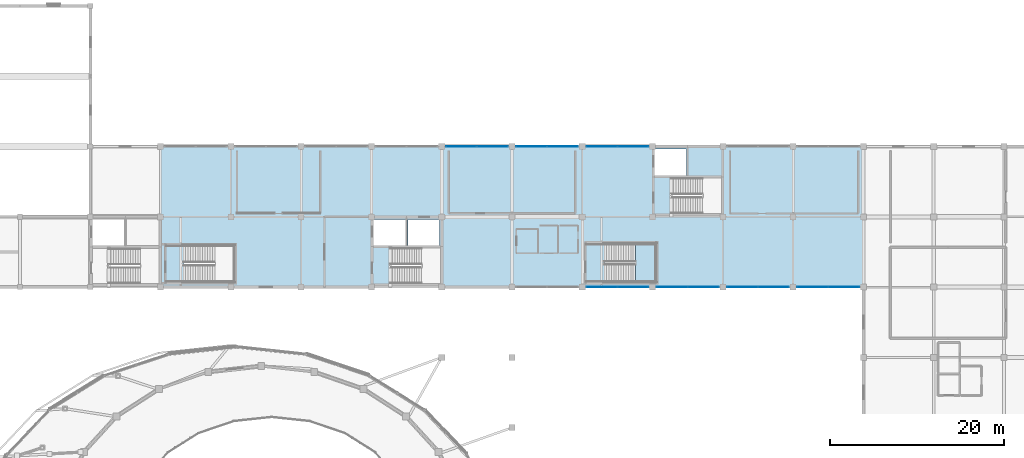
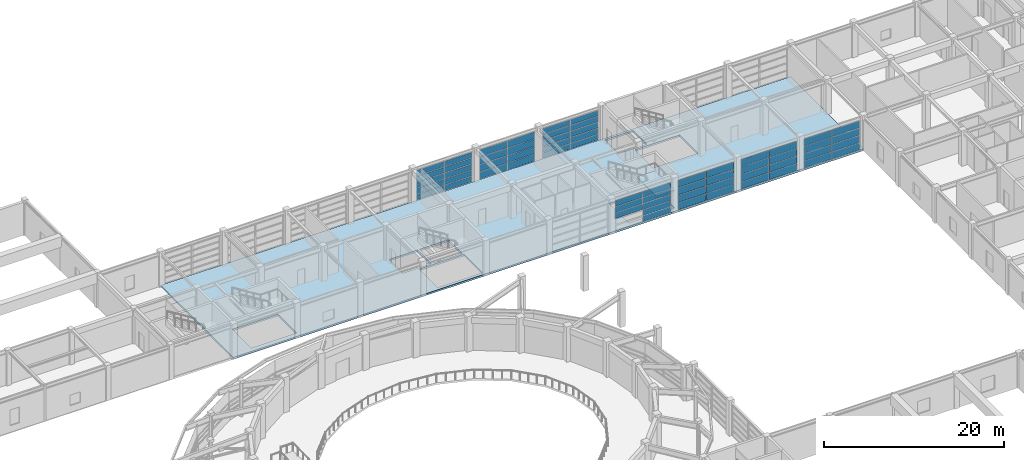
# One storey, part 39 of 58: 60 plates, 2 slabs, 8 elements without a shape of their own.
"""IFC4 building model written with IfcOpenShell, lengths in metres."""

from ifc_helpers import new_model, si_unit, direction, frame, origin, origin_2d, place, context, subcontext, project, spatial, polyline, rectangle, outline, extrude, material, layer, layer_set, type_object, element, aggregate, save


model = new_model("IFC4")

# Units and contexts
model_context = context("Model", 3, precision=1e-05, world=origin(), true_north=direction((0.0, 1.0)))
body_context = subcontext(model_context, "Body", "Model", "MODEL_VIEW")
ifc_project = project(units=[si_unit("LENGTHUNIT", "METRE"), si_unit("AREAUNIT", "SQUARE_METRE"), si_unit("VOLUMEUNIT", "CUBIC_METRE"), si_unit("PLANEANGLEUNIT", "RADIAN"), si_unit("MASSUNIT", "GRAM", prefix="KILO")], contexts=[model_context])

# Site, building, storey
site_placement = place(None, origin())
site = spatial("IfcSite", under=ifc_project, at=site_placement, CompositionType="ELEMENT")
building_placement = place(site_placement, origin())
building = spatial("IfcBuilding", under=site, at=building_placement, Name="Parian Resonance Hall", CompositionType="ELEMENT")
storey_placement = place(building_placement, frame((0.0, 0.0, 10.199951171875)))
storey = spatial("IfcBuildingStorey", under=building, at=storey_placement, Name="L02", CompositionType="ELEMENT", Elevation=10.199951171875)

# Curtain wall, plates
ifc_material_1 = material(Name="Bronze-anodised aluminium frame", Category="aluminium")
curtain_wall_type_1 = type_object("IfcCurtainWallType", Name="CW-SYS-06", PredefinedType="NOTDEFINED", material=ifc_material_1)
curtain_wall_1_placement = place(storey_placement, origin())
curtain_wall_1 = element("IfcCurtainWall", 1, at=curtain_wall_1_placement, inside=storey, type_object=curtain_wall_type_1, Name="Curtain wall CW-L02-099", PredefinedType="NOTDEFINED")
ifc_material_2 = material(Name="Acoustic laminated double glazing", Category="glass")
ifc_layer_1 = layer(ifc_material_2, 0.02197265625)
ifc_layer_set_1 = layer_set([ifc_layer_1], Name="Acoustic laminated double glazing")
plate_type_1 = type_object("IfcPlateType", Name="CWP-IGU22", PredefinedType="CURTAIN_PANEL", material=ifc_layer_set_1)
plate_1_placement = place(storey_placement, frame((83.25634765625, 89.10009765625, 0.05712890625), z_axis=(0.0, 0.0, 1.0), x_axis=(1.0, 0.0, 0.0)))
plate_1 = element("IfcPlate", 2, at=plate_1_placement, type_object=plate_type_1, Name="CW-06 panel 1.1", PredefinedType="CURTAIN_PANEL", context=body_context, shape_type="SweptSolid", body=[
    extrude(rectangle(XDim=3.5224609375, YDim=0.02197265625, at=origin_2d()), origin(), (0.0, 0.0, 1.0), 0.73779296875),
])
plate_2_placement = place(storey_placement, frame((83.25634765625, 89.10009765625, 0.85986328125), z_axis=(0.0, 0.0, 1.0), x_axis=(1.0, 0.0, 0.0)))
plate_2 = element("IfcPlate", 3, at=plate_2_placement, type_object=plate_type_1, Name="CW-06 panel 1.2", PredefinedType="CURTAIN_PANEL", context=body_context, shape_type="SweptSolid", body=[
    extrude(rectangle(XDim=3.5224609375, YDim=0.02197265625, at=origin_2d()), origin(), (0.0, 0.0, 1.0), 0.762451171875),
])
plate_3_placement = place(storey_placement, frame((83.25634765625, 89.10009765625, 1.6875), z_axis=(0.0, 0.0, 1.0), x_axis=(1.0, 0.0, 0.0)))
plate_3 = element("IfcPlate", 4, at=plate_3_placement, type_object=plate_type_1, Name="CW-06 panel 1.3", PredefinedType="CURTAIN_PANEL", context=body_context, shape_type="SweptSolid", body=[
    extrude(rectangle(XDim=3.5224609375, YDim=0.02197265625, at=origin_2d()), origin(), (0.0, 0.0, 1.0), 0.762451171875),
])
plate_4_placement = place(storey_placement, frame((83.25634765625, 89.10009765625, 2.5146484375), z_axis=(0.0, 0.0, 1.0), x_axis=(1.0, 0.0, 0.0)))
plate_4 = element("IfcPlate", 5, at=plate_4_placement, type_object=plate_type_1, Name="CW-06 panel 1.4", PredefinedType="CURTAIN_PANEL", context=body_context, shape_type="SweptSolid", body=[
    extrude(rectangle(XDim=3.5224609375, YDim=0.02197265625, at=origin_2d()), origin(), (0.0, 0.0, 1.0), 0.762451171875),
])
plate_5_placement = place(storey_placement, frame((83.25634765625, 89.10009765625, 3.34228515625), z_axis=(0.0, 0.0, 1.0), x_axis=(1.0, 0.0, 0.0)))
plate_5 = element("IfcPlate", 6, at=plate_5_placement, type_object=plate_type_1, Name="CW-06 panel 1.5", PredefinedType="CURTAIN_PANEL", context=body_context, shape_type="SweptSolid", body=[
    extrude(rectangle(XDim=3.5224609375, YDim=0.02197265625, at=origin_2d()), origin(), (0.0, 0.0, 1.0), 0.739990234375),
])
plate_6_placement = place(storey_placement, frame((86.84375, 89.10009765625, 0.05712890625), z_axis=(0.0, 0.0, 1.0), x_axis=(1.0, 0.0, 0.0)))
plate_6 = element("IfcPlate", 7, at=plate_6_placement, type_object=plate_type_1, Name="CW-06 panel 2.1", PredefinedType="CURTAIN_PANEL", context=body_context, shape_type="SweptSolid", body=[
    extrude(rectangle(XDim=3.5224609375, YDim=0.02197265625, at=origin_2d()), origin(), (0.0, 0.0, 1.0), 0.73779296875),
])
plate_7_placement = place(storey_placement, frame((86.84375, 89.10009765625, 0.85986328125), z_axis=(0.0, 0.0, 1.0), x_axis=(1.0, 0.0, 0.0)))
plate_7 = element("IfcPlate", 8, at=plate_7_placement, type_object=plate_type_1, Name="CW-06 panel 2.2", PredefinedType="CURTAIN_PANEL", context=body_context, shape_type="SweptSolid", body=[
    extrude(rectangle(XDim=3.5224609375, YDim=0.02197265625, at=origin_2d()), origin(), (0.0, 0.0, 1.0), 0.762451171875),
])
plate_8_placement = place(storey_placement, frame((86.84375, 89.10009765625, 1.6875), z_axis=(0.0, 0.0, 1.0), x_axis=(1.0, 0.0, 0.0)))
plate_8 = element("IfcPlate", 9, at=plate_8_placement, type_object=plate_type_1, Name="CW-06 panel 2.3", PredefinedType="CURTAIN_PANEL", context=body_context, shape_type="SweptSolid", body=[
    extrude(rectangle(XDim=3.5224609375, YDim=0.02197265625, at=origin_2d()), origin(), (0.0, 0.0, 1.0), 0.762451171875),
])
plate_9_placement = place(storey_placement, frame((86.84375, 89.10009765625, 2.5146484375), z_axis=(0.0, 0.0, 1.0), x_axis=(1.0, 0.0, 0.0)))
plate_9 = element("IfcPlate", 10, at=plate_9_placement, type_object=plate_type_1, Name="CW-06 panel 2.4", PredefinedType="CURTAIN_PANEL", context=body_context, shape_type="SweptSolid", body=[
    extrude(rectangle(XDim=3.5224609375, YDim=0.02197265625, at=origin_2d()), origin(), (0.0, 0.0, 1.0), 0.762451171875),
])
plate_10_placement = place(storey_placement, frame((86.84375, 89.10009765625, 3.34228515625), z_axis=(0.0, 0.0, 1.0), x_axis=(1.0, 0.0, 0.0)))
plate_10 = element("IfcPlate", 11, at=plate_10_placement, type_object=plate_type_1, Name="CW-06 panel 2.5", PredefinedType="CURTAIN_PANEL", context=body_context, shape_type="SweptSolid", body=[
    extrude(rectangle(XDim=3.5224609375, YDim=0.02197265625, at=origin_2d()), origin(), (0.0, 0.0, 1.0), 0.739990234375),
])
aggregate(curtain_wall_1, [plate_1, plate_2, plate_3, plate_4, plate_5, plate_6, plate_7, plate_8, plate_9, plate_10])

ifc_material_3 = material(Name="Bronze-anodised aluminium frame", Category="aluminium")
curtain_wall_type_2 = type_object("IfcCurtainWallType", Name="CW-SYS-04", PredefinedType="NOTDEFINED", material=ifc_material_3)
curtain_wall_2_placement = place(storey_placement, origin())
curtain_wall_2 = element("IfcCurtainWall", 12, at=curtain_wall_2_placement, inside=storey, type_object=curtain_wall_type_2, Name="Curtain wall CW-L02-129", PredefinedType="NOTDEFINED")
plate_11_placement = place(storey_placement, frame((111.143798828125, 72.89990234375, 0.05712890625), z_axis=(0.0, 0.0, 1.0), x_axis=(-1.0, 0.0, 0.0)))
plate_11 = element("IfcPlate", 13, at=plate_11_placement, type_object=plate_type_1, Name="CW-04 panel 1.1", PredefinedType="CURTAIN_PANEL", context=body_context, shape_type="SweptSolid", body=[
    extrude(rectangle(XDim=3.5224609375, YDim=0.02197265625, at=origin_2d()), origin(), (0.0, 0.0, 1.0), 0.919189453125),
])
plate_12_placement = place(storey_placement, frame((111.143798828125, 72.89990234375, 1.041259765625), z_axis=(0.0, 0.0, 1.0), x_axis=(-1.0, 0.0, 0.0)))
plate_12 = element("IfcPlate", 14, at=plate_12_placement, type_object=plate_type_1, Name="CW-04 panel 1.2", PredefinedType="CURTAIN_PANEL", context=body_context, shape_type="SweptSolid", body=[
    extrude(rectangle(XDim=3.5224609375, YDim=0.02197265625, at=origin_2d()), origin(), (0.0, 0.0, 1.0), 0.94384765625),
])
plate_13_placement = place(storey_placement, frame((111.143798828125, 72.89990234375, 2.050048828125), z_axis=(0.0, 0.0, 1.0), x_axis=(-1.0, 0.0, 0.0)))
plate_13 = element("IfcPlate", 15, at=plate_13_placement, type_object=plate_type_1, Name="CW-04 panel 1.3", PredefinedType="CURTAIN_PANEL", context=body_context, shape_type="SweptSolid", body=[
    extrude(rectangle(XDim=3.5224609375, YDim=0.02197265625, at=origin_2d()), origin(), (0.0, 0.0, 1.0), 0.94384765625),
])
plate_14_placement = place(storey_placement, frame((111.143798828125, 72.89990234375, 3.05908203125), z_axis=(0.0, 0.0, 1.0), x_axis=(-1.0, 0.0, 0.0)))
plate_14 = element("IfcPlate", 16, at=plate_14_placement, type_object=plate_type_1, Name="CW-04 panel 1.4", PredefinedType="CURTAIN_PANEL", context=body_context, shape_type="SweptSolid", body=[
    extrude(rectangle(XDim=3.5224609375, YDim=0.02197265625, at=origin_2d()), origin(), (0.0, 0.0, 1.0), 0.921142578125),
])
plate_15_placement = place(storey_placement, frame((107.55615234375, 72.89990234375, 0.05712890625), z_axis=(0.0, 0.0, 1.0), x_axis=(-1.0, 0.0, 0.0)))
plate_15 = element("IfcPlate", 17, at=plate_15_placement, type_object=plate_type_1, Name="CW-04 panel 2.1", PredefinedType="CURTAIN_PANEL", context=body_context, shape_type="SweptSolid", body=[
    extrude(rectangle(XDim=3.5224609375, YDim=0.02197265625, at=origin_2d()), origin(), (0.0, 0.0, 1.0), 0.919189453125),
])
plate_16_placement = place(storey_placement, frame((107.55615234375, 72.89990234375, 1.041259765625), z_axis=(0.0, 0.0, 1.0), x_axis=(-1.0, 0.0, 0.0)))
plate_16 = element("IfcPlate", 18, at=plate_16_placement, type_object=plate_type_1, Name="CW-04 panel 2.2", PredefinedType="CURTAIN_PANEL", context=body_context, shape_type="SweptSolid", body=[
    extrude(rectangle(XDim=3.5224609375, YDim=0.02197265625, at=origin_2d()), origin(), (0.0, 0.0, 1.0), 0.94384765625),
])
plate_17_placement = place(storey_placement, frame((107.55615234375, 72.89990234375, 2.050048828125), z_axis=(0.0, 0.0, 1.0), x_axis=(-1.0, 0.0, 0.0)))
plate_17 = element("IfcPlate", 19, at=plate_17_placement, type_object=plate_type_1, Name="CW-04 panel 2.3", PredefinedType="CURTAIN_PANEL", context=body_context, shape_type="SweptSolid", body=[
    extrude(rectangle(XDim=3.5224609375, YDim=0.02197265625, at=origin_2d()), origin(), (0.0, 0.0, 1.0), 0.94384765625),
])
plate_18_placement = place(storey_placement, frame((107.55615234375, 72.89990234375, 3.05908203125), z_axis=(0.0, 0.0, 1.0), x_axis=(-1.0, 0.0, 0.0)))
plate_18 = element("IfcPlate", 20, at=plate_18_placement, type_object=plate_type_1, Name="CW-04 panel 2.4", PredefinedType="CURTAIN_PANEL", context=body_context, shape_type="SweptSolid", body=[
    extrude(rectangle(XDim=3.5224609375, YDim=0.02197265625, at=origin_2d()), origin(), (0.0, 0.0, 1.0), 0.921142578125),
])
aggregate(curtain_wall_2, [plate_11, plate_12, plate_13, plate_14, plate_15, plate_16, plate_17, plate_18])

curtain_wall_3_placement = place(storey_placement, origin())
curtain_wall_3 = element("IfcCurtainWall", 21, at=curtain_wall_3_placement, inside=storey, type_object=curtain_wall_type_2, Name="Curtain wall CW-L02-092", PredefinedType="NOTDEFINED")
ifc_material_4 = material(Name="Acoustic laminated double glazing", Category="glass")
ifc_layer_2 = layer(ifc_material_4, 0.0419921875)
ifc_layer_set_2 = layer_set([ifc_layer_2], Name="Acoustic laminated double glazing")
plate_type_2 = type_object("IfcPlateType", Name="CWP-IGU42", PredefinedType="CURTAIN_PANEL", material=ifc_layer_set_2)
plate_19_placement = place(storey_placement, frame((67.058837890625, 89.10009765625, 0.06689453125), z_axis=(0.0, 0.0, 1.0), x_axis=(1.0, 0.0, 0.0)))
plate_19 = element("IfcPlate", 22, at=plate_19_placement, type_object=plate_type_2, Name="CW-04 panel 1.1", PredefinedType="CURTAIN_PANEL", context=body_context, shape_type="SweptSolid", body=[
    extrude(rectangle(XDim=3.507568359375, YDim=0.0419921875, at=origin_2d()), origin(), (0.0, 0.0, 1.0), 0.722900390625),
])
plate_20_placement = place(storey_placement, frame((67.058837890625, 89.10009765625, 0.864990234375), z_axis=(0.0, 0.0, 1.0), x_axis=(1.0, 0.0, 0.0)))
plate_20 = element("IfcPlate", 23, at=plate_20_placement, type_object=plate_type_2, Name="CW-04 panel 1.2", PredefinedType="CURTAIN_PANEL", context=body_context, shape_type="SweptSolid", body=[
    extrude(rectangle(XDim=3.507568359375, YDim=0.0419921875, at=origin_2d()), origin(), (0.0, 0.0, 1.0), 0.75244140625),
])
plate_21_placement = place(storey_placement, frame((67.058837890625, 89.10009765625, 1.6923828125), z_axis=(0.0, 0.0, 1.0), x_axis=(1.0, 0.0, 0.0)))
plate_21 = element("IfcPlate", 24, at=plate_21_placement, type_object=plate_type_2, Name="CW-04 panel 1.3", PredefinedType="CURTAIN_PANEL", context=body_context, shape_type="SweptSolid", body=[
    extrude(rectangle(XDim=3.507568359375, YDim=0.0419921875, at=origin_2d()), origin(), (0.0, 0.0, 1.0), 0.75244140625),
])
plate_22_placement = place(storey_placement, frame((67.058837890625, 89.10009765625, 2.519775390625), z_axis=(0.0, 0.0, 1.0), x_axis=(1.0, 0.0, 0.0)))
plate_22 = element("IfcPlate", 25, at=plate_22_placement, type_object=plate_type_2, Name="CW-04 panel 1.4", PredefinedType="CURTAIN_PANEL", context=body_context, shape_type="SweptSolid", body=[
    extrude(rectangle(XDim=3.507568359375, YDim=0.0419921875, at=origin_2d()), origin(), (0.0, 0.0, 1.0), 0.75244140625),
])
plate_23_placement = place(storey_placement, frame((67.058837890625, 89.10009765625, 3.34716796875), z_axis=(0.0, 0.0, 1.0), x_axis=(1.0, 0.0, 0.0)))
plate_23 = element("IfcPlate", 26, at=plate_23_placement, type_object=plate_type_2, Name="CW-04 panel 1.5", PredefinedType="CURTAIN_PANEL", context=body_context, shape_type="SweptSolid", body=[
    extrude(rectangle(XDim=3.507568359375, YDim=0.0419921875, at=origin_2d()), origin(), (0.0, 0.0, 1.0), 0.724853515625),
])
plate_24_placement = place(storey_placement, frame((70.641357421875, 89.10009765625, 0.06689453125), z_axis=(0.0, 0.0, 1.0), x_axis=(1.0, 0.0, 0.0)))
plate_24 = element("IfcPlate", 27, at=plate_24_placement, type_object=plate_type_2, Name="CW-04 panel 2.1", PredefinedType="CURTAIN_PANEL", context=body_context, shape_type="SweptSolid", body=[
    extrude(rectangle(XDim=3.507568359375, YDim=0.0419921875, at=origin_2d()), origin(), (0.0, 0.0, 1.0), 0.722900390625),
])
plate_25_placement = place(storey_placement, frame((70.641357421875, 89.10009765625, 0.864990234375), z_axis=(0.0, 0.0, 1.0), x_axis=(1.0, 0.0, 0.0)))
plate_25 = element("IfcPlate", 28, at=plate_25_placement, type_object=plate_type_2, Name="CW-04 panel 2.2", PredefinedType="CURTAIN_PANEL", context=body_context, shape_type="SweptSolid", body=[
    extrude(rectangle(XDim=3.507568359375, YDim=0.0419921875, at=origin_2d()), origin(), (0.0, 0.0, 1.0), 0.75244140625),
])
plate_26_placement = place(storey_placement, frame((70.641357421875, 89.10009765625, 1.6923828125), z_axis=(0.0, 0.0, 1.0), x_axis=(1.0, 0.0, 0.0)))
plate_26 = element("IfcPlate", 29, at=plate_26_placement, type_object=plate_type_2, Name="CW-04 panel 2.3", PredefinedType="CURTAIN_PANEL", context=body_context, shape_type="SweptSolid", body=[
    extrude(rectangle(XDim=3.507568359375, YDim=0.0419921875, at=origin_2d()), origin(), (0.0, 0.0, 1.0), 0.75244140625),
])
plate_27_placement = place(storey_placement, frame((70.641357421875, 89.10009765625, 2.519775390625), z_axis=(0.0, 0.0, 1.0), x_axis=(1.0, 0.0, 0.0)))
plate_27 = element("IfcPlate", 30, at=plate_27_placement, type_object=plate_type_2, Name="CW-04 panel 2.4", PredefinedType="CURTAIN_PANEL", context=body_context, shape_type="SweptSolid", body=[
    extrude(rectangle(XDim=3.507568359375, YDim=0.0419921875, at=origin_2d()), origin(), (0.0, 0.0, 1.0), 0.75244140625),
])
plate_28_placement = place(storey_placement, frame((70.641357421875, 89.10009765625, 3.34716796875), z_axis=(0.0, 0.0, 1.0), x_axis=(1.0, 0.0, 0.0)))
plate_28 = element("IfcPlate", 31, at=plate_28_placement, type_object=plate_type_2, Name="CW-04 panel 2.5", PredefinedType="CURTAIN_PANEL", context=body_context, shape_type="SweptSolid", body=[
    extrude(rectangle(XDim=3.507568359375, YDim=0.0419921875, at=origin_2d()), origin(), (0.0, 0.0, 1.0), 0.724853515625),
])
aggregate(curtain_wall_3, [plate_19, plate_20, plate_21, plate_22, plate_23, plate_24, plate_25, plate_26, plate_27, plate_28])

ifc_material_5 = material(Name="Bronze-anodised aluminium frame", Category="aluminium")
curtain_wall_type_3 = type_object("IfcCurtainWallType", Name="CW-SYS-05", PredefinedType="NOTDEFINED", material=ifc_material_5)
curtain_wall_4_placement = place(storey_placement, origin())
curtain_wall_4 = element("IfcCurtainWall", 32, at=curtain_wall_4_placement, inside=storey, type_object=curtain_wall_type_3, Name="Curtain wall CW-L02-095", PredefinedType="NOTDEFINED")
plate_29_placement = place(storey_placement, frame((75.15625, 89.10009765625, 0.05712890625), z_axis=(0.0, 0.0, 1.0), x_axis=(1.0, 0.0, 0.0)))
plate_29 = element("IfcPlate", 33, at=plate_29_placement, type_object=plate_type_2, Name="CW-05 panel 1.1", PredefinedType="CURTAIN_PANEL", context=body_context, shape_type="SweptSolid", body=[
    extrude(rectangle(XDim=3.5224609375, YDim=0.0419921875, at=origin_2d()), origin(), (0.0, 0.0, 1.0), 0.931640625),
])
plate_30_placement = place(storey_placement, frame((75.15625, 89.10009765625, 1.0537109375), z_axis=(0.0, 0.0, 1.0), x_axis=(1.0, 0.0, 0.0)))
plate_30 = element("IfcPlate", 34, at=plate_30_placement, type_object=plate_type_2, Name="CW-05 panel 1.2", PredefinedType="CURTAIN_PANEL", context=body_context, shape_type="SweptSolid", body=[
    extrude(rectangle(XDim=3.5224609375, YDim=0.0419921875, at=origin_2d()), origin(), (0.0, 0.0, 1.0), 0.956298828125),
])
plate_31_placement = place(storey_placement, frame((75.15625, 89.10009765625, 2.0751953125), z_axis=(0.0, 0.0, 1.0), x_axis=(1.0, 0.0, 0.0)))
plate_31 = element("IfcPlate", 35, at=plate_31_placement, type_object=plate_type_2, Name="CW-05 panel 1.3", PredefinedType="CURTAIN_PANEL", context=body_context, shape_type="SweptSolid", body=[
    extrude(rectangle(XDim=3.5224609375, YDim=0.0419921875, at=origin_2d()), origin(), (0.0, 0.0, 1.0), 0.956298828125),
])
plate_32_placement = place(storey_placement, frame((75.15625, 89.10009765625, 3.09619140625), z_axis=(0.0, 0.0, 1.0), x_axis=(1.0, 0.0, 0.0)))
plate_32 = element("IfcPlate", 36, at=plate_32_placement, type_object=plate_type_2, Name="CW-05 panel 1.4", PredefinedType="CURTAIN_PANEL", context=body_context, shape_type="SweptSolid", body=[
    extrude(rectangle(XDim=3.5224609375, YDim=0.0419921875, at=origin_2d()), origin(), (0.0, 0.0, 1.0), 0.933837890625),
])
plate_33_placement = place(storey_placement, frame((78.74365234375, 89.10009765625, 0.05712890625), z_axis=(0.0, 0.0, 1.0), x_axis=(1.0, 0.0, 0.0)))
plate_33 = element("IfcPlate", 37, at=plate_33_placement, type_object=plate_type_2, Name="CW-05 panel 2.1", PredefinedType="CURTAIN_PANEL", context=body_context, shape_type="SweptSolid", body=[
    extrude(rectangle(XDim=3.5224609375, YDim=0.0419921875, at=origin_2d()), origin(), (0.0, 0.0, 1.0), 0.931640625),
])
plate_34_placement = place(storey_placement, frame((78.74365234375, 89.10009765625, 1.0537109375), z_axis=(0.0, 0.0, 1.0), x_axis=(1.0, 0.0, 0.0)))
plate_34 = element("IfcPlate", 38, at=plate_34_placement, type_object=plate_type_2, Name="CW-05 panel 2.2", PredefinedType="CURTAIN_PANEL", context=body_context, shape_type="SweptSolid", body=[
    extrude(rectangle(XDim=3.5224609375, YDim=0.0419921875, at=origin_2d()), origin(), (0.0, 0.0, 1.0), 0.956298828125),
])
plate_35_placement = place(storey_placement, frame((78.74365234375, 89.10009765625, 2.0751953125), z_axis=(0.0, 0.0, 1.0), x_axis=(1.0, 0.0, 0.0)))
plate_35 = element("IfcPlate", 39, at=plate_35_placement, type_object=plate_type_2, Name="CW-05 panel 2.3", PredefinedType="CURTAIN_PANEL", context=body_context, shape_type="SweptSolid", body=[
    extrude(rectangle(XDim=3.5224609375, YDim=0.0419921875, at=origin_2d()), origin(), (0.0, 0.0, 1.0), 0.956298828125),
])
plate_36_placement = place(storey_placement, frame((78.74365234375, 89.10009765625, 3.09619140625), z_axis=(0.0, 0.0, 1.0), x_axis=(1.0, 0.0, 0.0)))
plate_36 = element("IfcPlate", 40, at=plate_36_placement, type_object=plate_type_2, Name="CW-05 panel 2.4", PredefinedType="CURTAIN_PANEL", context=body_context, shape_type="SweptSolid", body=[
    extrude(rectangle(XDim=3.5224609375, YDim=0.0419921875, at=origin_2d()), origin(), (0.0, 0.0, 1.0), 0.933837890625),
])
aggregate(curtain_wall_4, [plate_29, plate_30, plate_31, plate_32, plate_33, plate_34, plate_35, plate_36])

ifc_material_6 = material(Name="Bronze-anodised aluminium frame", Category="aluminium")
curtain_wall_type_4 = type_object("IfcCurtainWallType", Name="CW-SYS-01", PredefinedType="NOTDEFINED", material=ifc_material_6)
curtain_wall_5_placement = place(storey_placement, origin())
curtain_wall_5 = element("IfcCurtainWall", 41, at=curtain_wall_5_placement, inside=storey, type_object=curtain_wall_type_4, Name="Curtain wall CW-L02-113", PredefinedType="NOTDEFINED")
plate_37_placement = place(storey_placement, frame((86.84375, 72.89990234375, 0.05712890625), z_axis=(0.0, 0.0, 1.0), x_axis=(-1.0, 0.0, 0.0)))
plate_37 = element("IfcPlate", 42, at=plate_37_placement, type_object=plate_type_2, Name="CW-01 panel 1.1", PredefinedType="CURTAIN_PANEL", context=body_context, shape_type="SweptSolid", body=[
    extrude(rectangle(XDim=3.5224609375, YDim=0.0419921875, at=origin_2d()), origin(), (0.0, 0.0, 1.0), 0.73779296875),
])
plate_38_placement = place(storey_placement, frame((86.84375, 72.89990234375, 0.85986328125), z_axis=(0.0, 0.0, 1.0), x_axis=(-1.0, 0.0, 0.0)))
plate_38 = element("IfcPlate", 43, at=plate_38_placement, type_object=plate_type_2, Name="CW-01 panel 1.2", PredefinedType="CURTAIN_PANEL", context=body_context, shape_type="SweptSolid", body=[
    extrude(rectangle(XDim=3.5224609375, YDim=0.0419921875, at=origin_2d()), origin(), (0.0, 0.0, 1.0), 0.762451171875),
])
plate_39_placement = place(storey_placement, frame((86.84375, 72.89990234375, 1.6875), z_axis=(0.0, 0.0, 1.0), x_axis=(-1.0, 0.0, 0.0)))
plate_39 = element("IfcPlate", 44, at=plate_39_placement, type_object=plate_type_2, Name="CW-01 panel 1.3", PredefinedType="CURTAIN_PANEL", context=body_context, shape_type="SweptSolid", body=[
    extrude(rectangle(XDim=3.5224609375, YDim=0.0419921875, at=origin_2d()), origin(), (0.0, 0.0, 1.0), 0.762451171875),
])
plate_40_placement = place(storey_placement, frame((86.84375, 72.89990234375, 2.5146484375), z_axis=(0.0, 0.0, 1.0), x_axis=(-1.0, 0.0, 0.0)))
plate_40 = element("IfcPlate", 45, at=plate_40_placement, type_object=plate_type_2, Name="CW-01 panel 1.4", PredefinedType="CURTAIN_PANEL", context=body_context, shape_type="SweptSolid", body=[
    extrude(rectangle(XDim=3.5224609375, YDim=0.0419921875, at=origin_2d()), origin(), (0.0, 0.0, 1.0), 0.762451171875),
])
plate_41_placement = place(storey_placement, frame((86.84375, 72.89990234375, 3.34228515625), z_axis=(0.0, 0.0, 1.0), x_axis=(-1.0, 0.0, 0.0)))
plate_41 = element("IfcPlate", 46, at=plate_41_placement, type_object=plate_type_2, Name="CW-01 panel 1.5", PredefinedType="CURTAIN_PANEL", context=body_context, shape_type="SweptSolid", body=[
    extrude(rectangle(XDim=3.5224609375, YDim=0.0419921875, at=origin_2d()), origin(), (0.0, 0.0, 1.0), 0.739990234375),
])
plate_42_placement = place(storey_placement, frame((83.25634765625, 72.89990234375, 1.6875), z_axis=(0.0, 0.0, 1.0), x_axis=(-1.0, 0.0, 0.0)))
plate_42 = element("IfcPlate", 47, at=plate_42_placement, type_object=plate_type_2, Name="CW-01 panel 2.3", PredefinedType="CURTAIN_PANEL", context=body_context, shape_type="SweptSolid", body=[
    extrude(rectangle(XDim=3.5224609375, YDim=0.0419921875, at=origin_2d()), origin(), (0.0, 0.0, 1.0), 0.762451171875),
])
plate_43_placement = place(storey_placement, frame((83.25634765625, 72.89990234375, 2.5146484375), z_axis=(0.0, 0.0, 1.0), x_axis=(-1.0, 0.0, 0.0)))
plate_43 = element("IfcPlate", 48, at=plate_43_placement, type_object=plate_type_2, Name="CW-01 panel 2.4", PredefinedType="CURTAIN_PANEL", context=body_context, shape_type="SweptSolid", body=[
    extrude(rectangle(XDim=3.5224609375, YDim=0.0419921875, at=origin_2d()), origin(), (0.0, 0.0, 1.0), 0.762451171875),
])
plate_44_placement = place(storey_placement, frame((83.25634765625, 72.89990234375, 3.34228515625), z_axis=(0.0, 0.0, 1.0), x_axis=(-1.0, 0.0, 0.0)))
plate_44 = element("IfcPlate", 49, at=plate_44_placement, type_object=plate_type_2, Name="CW-01 panel 2.5", PredefinedType="CURTAIN_PANEL", context=body_context, shape_type="SweptSolid", body=[
    extrude(rectangle(XDim=3.5224609375, YDim=0.0419921875, at=origin_2d()), origin(), (0.0, 0.0, 1.0), 0.739990234375),
])
aggregate(curtain_wall_5, [plate_37, plate_38, plate_39, plate_40, plate_41, plate_42, plate_43, plate_44])

ifc_material_7 = material(Name="Bronze-anodised aluminium frame", Category="aluminium")
curtain_wall_type_5 = type_object("IfcCurtainWallType", Name="CW-SYS-02", PredefinedType="NOTDEFINED", material=ifc_material_7)
curtain_wall_6_placement = place(storey_placement, origin())
curtain_wall_6 = element("IfcCurtainWall", 50, at=curtain_wall_6_placement, inside=storey, type_object=curtain_wall_type_5, Name="Curtain wall CW-L02-119", PredefinedType="NOTDEFINED")
plate_45_placement = place(storey_placement, frame((94.94384765625, 72.89990234375, 0.05712890625), z_axis=(0.0, 0.0, 1.0), x_axis=(-1.0, 0.0, 0.0)))
plate_45 = element("IfcPlate", 51, at=plate_45_placement, type_object=plate_type_2, Name="CW-02 panel 1.1", PredefinedType="CURTAIN_PANEL", context=body_context, shape_type="SweptSolid", body=[
    extrude(rectangle(XDim=3.5224609375, YDim=0.0419921875, at=origin_2d()), origin(), (0.0, 0.0, 1.0), 0.931640625),
])
plate_46_placement = place(storey_placement, frame((94.94384765625, 72.89990234375, 1.0537109375), z_axis=(0.0, 0.0, 1.0), x_axis=(-1.0, 0.0, 0.0)))
plate_46 = element("IfcPlate", 52, at=plate_46_placement, type_object=plate_type_2, Name="CW-02 panel 1.2", PredefinedType="CURTAIN_PANEL", context=body_context, shape_type="SweptSolid", body=[
    extrude(rectangle(XDim=3.5224609375, YDim=0.0419921875, at=origin_2d()), origin(), (0.0, 0.0, 1.0), 0.956298828125),
])
plate_47_placement = place(storey_placement, frame((94.94384765625, 72.89990234375, 2.0751953125), z_axis=(0.0, 0.0, 1.0), x_axis=(-1.0, 0.0, 0.0)))
plate_47 = element("IfcPlate", 53, at=plate_47_placement, type_object=plate_type_2, Name="CW-02 panel 1.3", PredefinedType="CURTAIN_PANEL", context=body_context, shape_type="SweptSolid", body=[
    extrude(rectangle(XDim=3.5224609375, YDim=0.0419921875, at=origin_2d()), origin(), (0.0, 0.0, 1.0), 0.956298828125),
])
plate_48_placement = place(storey_placement, frame((94.94384765625, 72.89990234375, 3.09619140625), z_axis=(0.0, 0.0, 1.0), x_axis=(-1.0, 0.0, 0.0)))
plate_48 = element("IfcPlate", 54, at=plate_48_placement, type_object=plate_type_2, Name="CW-02 panel 1.4", PredefinedType="CURTAIN_PANEL", context=body_context, shape_type="SweptSolid", body=[
    extrude(rectangle(XDim=3.5224609375, YDim=0.0419921875, at=origin_2d()), origin(), (0.0, 0.0, 1.0), 0.933837890625),
])
plate_49_placement = place(storey_placement, frame((91.356201171875, 72.89990234375, 0.05712890625), z_axis=(0.0, 0.0, 1.0), x_axis=(-1.0, 0.0, 0.0)))
plate_49 = element("IfcPlate", 55, at=plate_49_placement, type_object=plate_type_2, Name="CW-02 panel 2.1", PredefinedType="CURTAIN_PANEL", context=body_context, shape_type="SweptSolid", body=[
    extrude(rectangle(XDim=3.5224609375, YDim=0.0419921875, at=origin_2d()), origin(), (0.0, 0.0, 1.0), 0.931640625),
])
plate_50_placement = place(storey_placement, frame((91.356201171875, 72.89990234375, 1.0537109375), z_axis=(0.0, 0.0, 1.0), x_axis=(-1.0, 0.0, 0.0)))
plate_50 = element("IfcPlate", 56, at=plate_50_placement, type_object=plate_type_2, Name="CW-02 panel 2.2", PredefinedType="CURTAIN_PANEL", context=body_context, shape_type="SweptSolid", body=[
    extrude(rectangle(XDim=3.5224609375, YDim=0.0419921875, at=origin_2d()), origin(), (0.0, 0.0, 1.0), 0.956298828125),
])
plate_51_placement = place(storey_placement, frame((91.356201171875, 72.89990234375, 2.0751953125), z_axis=(0.0, 0.0, 1.0), x_axis=(-1.0, 0.0, 0.0)))
plate_51 = element("IfcPlate", 57, at=plate_51_placement, type_object=plate_type_2, Name="CW-02 panel 2.3", PredefinedType="CURTAIN_PANEL", context=body_context, shape_type="SweptSolid", body=[
    extrude(rectangle(XDim=3.5224609375, YDim=0.0419921875, at=origin_2d()), origin(), (0.0, 0.0, 1.0), 0.956298828125),
])
plate_52_placement = place(storey_placement, frame((91.356201171875, 72.89990234375, 3.09619140625), z_axis=(0.0, 0.0, 1.0), x_axis=(-1.0, 0.0, 0.0)))
plate_52 = element("IfcPlate", 58, at=plate_52_placement, type_object=plate_type_2, Name="CW-02 panel 2.4", PredefinedType="CURTAIN_PANEL", context=body_context, shape_type="SweptSolid", body=[
    extrude(rectangle(XDim=3.5224609375, YDim=0.0419921875, at=origin_2d()), origin(), (0.0, 0.0, 1.0), 0.933837890625),
])
aggregate(curtain_wall_6, [plate_45, plate_46, plate_47, plate_48, plate_49, plate_50, plate_51, plate_52])

ifc_material_8 = material(Name="Bronze-anodised aluminium frame", Category="aluminium")
curtain_wall_type_6 = type_object("IfcCurtainWallType", Name="CW-SYS-03", PredefinedType="NOTDEFINED", material=ifc_material_8)
curtain_wall_7_placement = place(storey_placement, origin())
curtain_wall_7 = element("IfcCurtainWall", 59, at=curtain_wall_7_placement, inside=storey, type_object=curtain_wall_type_6, Name="Curtain wall CW-L02-125", PredefinedType="NOTDEFINED")
plate_53_placement = place(storey_placement, frame((103.043701171875, 72.89990234375, 0.05712890625), z_axis=(0.0, 0.0, 1.0), x_axis=(-1.0, 0.0, 0.0)))
plate_53 = element("IfcPlate", 60, at=plate_53_placement, type_object=plate_type_2, Name="CW-03 panel 1.1", PredefinedType="CURTAIN_PANEL", context=body_context, shape_type="SweptSolid", body=[
    extrude(rectangle(XDim=3.5224609375, YDim=0.0419921875, at=origin_2d()), origin(), (0.0, 0.0, 1.0), 0.932373046875),
])
plate_54_placement = place(storey_placement, frame((103.043701171875, 72.89990234375, 1.05419921875), z_axis=(0.0, 0.0, 1.0), x_axis=(-1.0, 0.0, 0.0)))
plate_54 = element("IfcPlate", 61, at=plate_54_placement, type_object=plate_type_2, Name="CW-03 panel 1.2", PredefinedType="CURTAIN_PANEL", context=body_context, shape_type="SweptSolid", body=[
    extrude(rectangle(XDim=3.5224609375, YDim=0.0419921875, at=origin_2d()), origin(), (0.0, 0.0, 1.0), 0.956787109375),
])
plate_55_placement = place(storey_placement, frame((103.043701171875, 72.89990234375, 2.076171875), z_axis=(0.0, 0.0, 1.0), x_axis=(-1.0, 0.0, 0.0)))
plate_55 = element("IfcPlate", 62, at=plate_55_placement, type_object=plate_type_2, Name="CW-03 panel 1.3", PredefinedType="CURTAIN_PANEL", context=body_context, shape_type="SweptSolid", body=[
    extrude(rectangle(XDim=3.5224609375, YDim=0.0419921875, at=origin_2d()), origin(), (0.0, 0.0, 1.0), 0.956787109375),
])
plate_56_placement = place(storey_placement, frame((103.043701171875, 72.89990234375, 3.09765625), z_axis=(0.0, 0.0, 1.0), x_axis=(-1.0, 0.0, 0.0)))
plate_56 = element("IfcPlate", 63, at=plate_56_placement, type_object=plate_type_2, Name="CW-03 panel 1.4", PredefinedType="CURTAIN_PANEL", context=body_context, shape_type="SweptSolid", body=[
    extrude(rectangle(XDim=3.5224609375, YDim=0.0419921875, at=origin_2d()), origin(), (0.0, 0.0, 1.0), 0.934326171875),
])
plate_57_placement = place(storey_placement, frame((99.456298828125, 72.89990234375, 0.05712890625), z_axis=(0.0, 0.0, 1.0), x_axis=(-1.0, 0.0, 0.0)))
plate_57 = element("IfcPlate", 64, at=plate_57_placement, type_object=plate_type_2, Name="CW-03 panel 2.1", PredefinedType="CURTAIN_PANEL", context=body_context, shape_type="SweptSolid", body=[
    extrude(rectangle(XDim=3.5224609375, YDim=0.0419921875, at=origin_2d()), origin(), (0.0, 0.0, 1.0), 0.932373046875),
])
plate_58_placement = place(storey_placement, frame((99.456298828125, 72.89990234375, 1.05419921875), z_axis=(0.0, 0.0, 1.0), x_axis=(-1.0, 0.0, 0.0)))
plate_58 = element("IfcPlate", 65, at=plate_58_placement, type_object=plate_type_2, Name="CW-03 panel 2.2", PredefinedType="CURTAIN_PANEL", context=body_context, shape_type="SweptSolid", body=[
    extrude(rectangle(XDim=3.5224609375, YDim=0.0419921875, at=origin_2d()), origin(), (0.0, 0.0, 1.0), 0.956787109375),
])
plate_59_placement = place(storey_placement, frame((99.456298828125, 72.89990234375, 2.076171875), z_axis=(0.0, 0.0, 1.0), x_axis=(-1.0, 0.0, 0.0)))
plate_59 = element("IfcPlate", 66, at=plate_59_placement, type_object=plate_type_2, Name="CW-03 panel 2.3", PredefinedType="CURTAIN_PANEL", context=body_context, shape_type="SweptSolid", body=[
    extrude(rectangle(XDim=3.5224609375, YDim=0.0419921875, at=origin_2d()), origin(), (0.0, 0.0, 1.0), 0.956787109375),
])
plate_60_placement = place(storey_placement, frame((99.456298828125, 72.89990234375, 3.09765625), z_axis=(0.0, 0.0, 1.0), x_axis=(-1.0, 0.0, 0.0)))
plate_60 = element("IfcPlate", 67, at=plate_60_placement, type_object=plate_type_2, Name="CW-03 panel 2.4", PredefinedType="CURTAIN_PANEL", context=body_context, shape_type="SweptSolid", body=[
    extrude(rectangle(XDim=3.5224609375, YDim=0.0419921875, at=origin_2d()), origin(), (0.0, 0.0, 1.0), 0.934326171875),
])
aggregate(curtain_wall_7, [plate_53, plate_54, plate_55, plate_56, plate_57, plate_58, plate_59, plate_60])

# Slab
ifc_material_9 = material(Name="Concrete C35/45", Category="concrete")
ifc_layer_3 = layer(ifc_material_9, 0.239990234375)
ifc_layer_set_3 = layer_set([ifc_layer_3], Name="Concrete C35/45")
slab_type_1 = type_object("IfcSlabType", Name="SLB-FLR-240", PredefinedType="FLOOR", material=ifc_layer_set_3)
slab_1_placement = place(storey_placement, frame((0.0, 0.0, -0.239990234375)))
element("IfcSlab", 68, at=slab_1_placement, inside=storey, type_object=slab_type_1, Name="Cloister L02 studio gallery slab", PredefinedType="FLOOR", context=body_context, shape_type="SweptSolid", body=[
    extrude(outline(polyline([(32.39990234375, 72.89990234375), (113.39990234375, 72.89990234375), (113.39990234375, 89.10009765625), (32.39990234375, 89.10009765625), (32.39990234375, 72.89990234375)]), holes=[polyline([(64.659912109375, 77.39990234375), (64.659912109375, 73.300048828125), (58.89501953125, 73.300048828125), (58.89501953125, 77.39990234375), (64.659912109375, 77.39990234375)]), polyline([(40.889892578125, 73.5), (35.06494140625, 73.5), (35.06494140625, 77.679931640625), (40.889892578125, 77.679931640625), (40.889892578125, 73.5)]), polyline([(89.489990234375, 73.5), (83.56494140625, 73.5), (83.56494140625, 77.8798828125), (89.489990234375, 77.8798828125), (89.489990234375, 73.5)]), polyline([(60.60009765625, 77.64990234375), (56.93994140625, 77.64990234375), (56.93994140625, 80.699951171875), (60.60009765625, 80.699951171875), (60.60009765625, 77.64990234375)]), polyline([(64.56005859375, 77.64990234375), (60.89990234375, 77.64990234375), (60.89990234375, 80.699951171875), (64.56005859375, 80.699951171875), (64.56005859375, 77.64990234375)]), polyline([(97.02001953125, 81.39990234375), (91.27490234375, 81.39990234375), (91.27490234375, 85.4599609375), (97.02001953125, 85.4599609375), (97.02001953125, 81.39990234375)]), polyline([(93.0, 85.75), (89.340087890625, 85.75), (89.340087890625, 88.800048828125), (93.0, 88.800048828125), (93.0, 85.75)])]), origin(), (0.0, 0.0, 1.0), 0.239990234375),
])

# Stair, slab
ifc_material_10 = material(Name="Concrete C40/50", Category="concrete")
stair_type = type_object("IfcStairType", Name="STAIR-FOYER-1650", PredefinedType="HALF_TURN_STAIR", material=ifc_material_10)
stair_placement = place(storey_placement, origin())
stair = element("IfcStair", 69, at=stair_placement, inside=storey, type_object=stair_type, Name="L02 ST-08", PredefinedType="HALF_TURN_STAIR")
ifc_material_11 = material(Name="Concrete C40/50", Category="concrete")
ifc_layer_4 = layer(ifc_material_11, 0.179931640625)
ifc_layer_set_4 = layer_set([ifc_layer_4], Name="Concrete C40/50")
slab_type_2 = type_object("IfcSlabType", Name="SLB-LANDING-180", PredefinedType="LANDING", material=ifc_layer_set_4)
slab_2_placement = place(storey_placement, frame((0.0, 0.0, 2.199951171875)))
slab_2 = element("IfcSlab", 70, at=slab_2_placement, type_object=slab_type_2, Name="ST-08 landing 1", PredefinedType="LANDING", context=body_context, shape_type="SweptSolid", body=[
    extrude(outline(polyline([(87.14990234375, 73.5), (89.489990234375, 73.5), (89.489990234375, 77.8798828125), (87.14990234375, 77.8798828125), (87.14990234375, 73.5)])), origin(), (0.0, 0.0, 1.0), 0.2001953125),
])
aggregate(stair, [slab_2])

save(model, "model.ifc")
